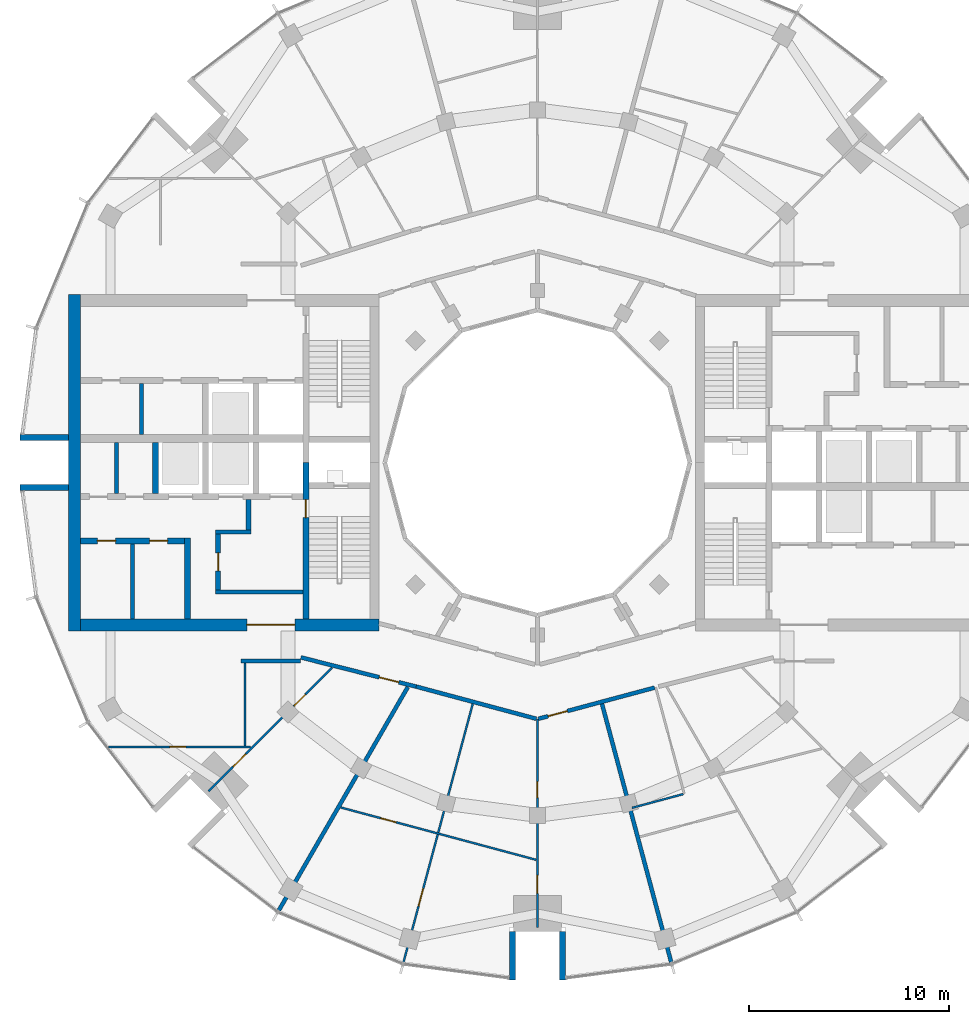
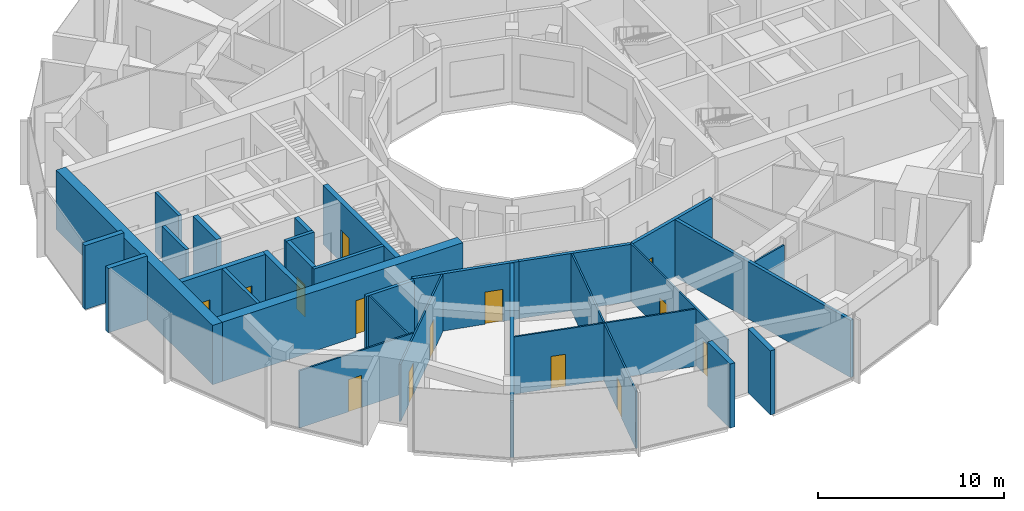
# One storey, part 8 of 15: 30 walls, 14 doors, 14 openings.
"""IFC4 building model written with IfcOpenShell, lengths in metres."""

from ifc_helpers import new_model, si_unit, direction, frame, frame_2d, origin, place, context, subcontext, project, spatial, rectangle, extrude, material, layer, layer_set, type_object, element, fill, save


model = new_model("IFC4")

# Units and contexts
model_context = context("Model", 3, precision=1e-05, world=origin(), true_north=direction((0.0, 1.0)))
body_context = subcontext(model_context, "Body", "Model", "MODEL_VIEW")
ifc_project = project(units=[si_unit("LENGTHUNIT", "METRE"), si_unit("AREAUNIT", "SQUARE_METRE"), si_unit("VOLUMEUNIT", "CUBIC_METRE"), si_unit("PLANEANGLEUNIT", "RADIAN"), si_unit("MASSUNIT", "GRAM", prefix="KILO")], contexts=[model_context])

# Site, building, storey
site_placement = place(None, origin())
site = spatial("IfcSite", under=ifc_project, at=site_placement, CompositionType="ELEMENT")
building_placement = place(site_placement, origin())
building = spatial("IfcBuilding", under=site, at=building_placement, Name="Torre Brocal", CompositionType="ELEMENT")
storey_placement = place(building_placement, frame((0.0, 0.0, 245.699951171875)))
storey = spatial("IfcBuildingStorey", under=building, at=storey_placement, Name="L56", CompositionType="ELEMENT", Elevation=245.699951171875)

# Walls
ifc_material_1 = material(Name="Masonry block", Category="masonry")
ifc_layer_1 = layer(ifc_material_1, 0.199951171875)
ifc_layer_set_1 = layer_set([ifc_layer_1], Name="Masonry block")
wall_type_1 = type_object("IfcWallType", Name="CORE PARTITION 200", PredefinedType="PARTITIONING", material=ifc_layer_set_1)
for number, where, z_axis, x_axis, name in (
    (1, (59.0, 76.0, 0.0), (0.0, 0.0, 1.0), (0.0, -1.0, 0.0), "Wall CP200"),
    (2, (60.25, 78.949951171875, 0.0), (0.0, 0.0, 1.0), (0.0, -1.0, 0.0), "Wall CP200"),
):
    element("IfcWall", number, at=place(storey_placement, frame(where, z_axis=z_axis, x_axis=x_axis)), inside=storey, type_object=wall_type_1, Name=name, PredefinedType="PARTITIONING", context=body_context, shape_type="SweptSolid", body=[
        extrude(rectangle(XDim=2.550048828125, YDim=0.199951171875, at=frame_2d((1.27490234375, 0.0))), origin(), (0.0, 0.0, 1.0), 3.880126953125),
    ])
wall_1_placement = place(storey_placement, frame((59.800048828125, 70.949951171875, 0.0), z_axis=(0.0, 0.0, 1.0), x_axis=(0.0, -1.0, 0.0)))
element("IfcWall", 3, at=wall_1_placement, inside=storey, type_object=wall_type_1, Name="Wall CP200", PredefinedType="PARTITIONING", context=body_context, shape_type="SweptSolid", body=[
    extrude(rectangle(XDim=3.75, YDim=0.199951171875, at=frame_2d((1.875, 0.0))), origin(), (0.0, 0.0, 1.0), 3.880126953125),
])
ifc_material_2 = material(Name="Concrete C60", Category="concrete")
ifc_layer_2 = layer(ifc_material_2, 0.199951171875)
ifc_layer_set_2 = layer_set([ifc_layer_2], Name="Concrete C60")
wall_type_2 = type_object("IfcWallType", Name="CORE WALL 200 C60", PredefinedType="SHEAR", material=ifc_layer_set_2)
wall_2_placement = place(storey_placement, frame((68.300048828125, 68.550048828125, 0.0), z_axis=(0.0, 0.0, 1.0), x_axis=(-1.0, 0.0, 0.0)))
element("IfcWall", 4, at=wall_2_placement, inside=storey, type_object=wall_type_2, Name="Wall CW200-60", PredefinedType="SHEAR", context=body_context, shape_type="SweptSolid", body=[
    extrude(rectangle(XDim=4.35009765625, YDim=0.199951171875, at=frame_2d((2.175048828125, 0.0))), origin(), (0.0, 0.0, 1.0), 3.880126953125),
])
wall_3_placement = place(storey_placement, frame((65.699951171875, 71.550048828125, 0.0), z_axis=(0.0, 0.0, 1.0), x_axis=(-1.0, 0.0, 0.0)))
element("IfcWall", 5, at=wall_3_placement, inside=storey, type_object=wall_type_2, Name="Wall CW200-60", PredefinedType="SHEAR", context=body_context, shape_type="SweptSolid", body=[
    extrude(rectangle(XDim=1.75, YDim=0.199951171875, at=frame_2d((0.875, 0.0))), origin(), (0.0, 0.0, 1.0), 3.880126953125),
])

# Wall, opening, door
ifc_material_3 = material(Name="Concrete C60", Category="concrete")
ifc_layer_3 = layer(ifc_material_3, 0.25)
ifc_layer_set_3 = layer_set([ifc_layer_3], Name="Concrete C60")
wall_type_3 = type_object("IfcWallType", Name="CORE WALL 250 C60", PredefinedType="SHEAR", material=ifc_layer_set_3)
wall_4_placement = place(storey_placement, frame((64.074951171875, 71.449951171875, 0.0), z_axis=(0.0, 0.0, 1.0), x_axis=(0.0, -1.0, 0.0)))
wall_4 = element("IfcWall", 6, at=wall_4_placement, inside=storey, type_object=wall_type_3, Name="Wall CW250-60", PredefinedType="SHEAR", context=body_context, shape_type="SweptSolid", body=[
    extrude(rectangle(XDim=2.800048828125, YDim=0.25, at=frame_2d((1.39990234375, 0.0))), origin(), (0.0, 0.0, 1.0), 3.880126953125),
])
opening_1_placement = place(wall_4_placement, frame((0.949951171875, 0.0, 0.0)))
opening_1 = element("IfcOpeningElement", 7, at=opening_1_placement, cuts=wall_4, Name="Opening W-D08", PredefinedType="OPENING", context=body_context, shape_type="SweptSolid", body=[
    extrude(rectangle(XDim=0.89990234375, YDim=2.10009765625, at=frame_2d((0.449951171875, 1.050048828125))), frame((0.0, 0.135009765625, 0.0), z_axis=(0.0, -1.0, 0.0), x_axis=(1.0, 0.0, 0.0)), (0.0, 0.0, 1.0), 0.27001953125),
])
ifc_material_4 = material(Name="Steel A653", Category="steel")
door_type_1 = type_object("IfcDoorType", Name="LOBBY DOOR FD120 900X2100", OperationType="SINGLE_SWING_RIGHT", PredefinedType="DOOR", material=ifc_material_4)
door_1_placement = place(opening_1_placement, origin())
door_1 = element("IfcDoor", 8, at=door_1_placement, inside=storey, type_object=door_type_1, Name="Door W-D08", OperationType="SINGLE_SWING_LEFT", OverallHeight=2.10009765625, OverallWidth=0.89990234375, PredefinedType="DOOR", context=body_context, shape_type="SweptSolid", body=[
    extrude(rectangle(XDim=0.89990234375, YDim=2.10009765625, at=frame_2d((0.449951171875, 1.050048828125))), frame((0.0, 0.02490234375, 0.0), z_axis=(0.0, -1.0, 0.0), x_axis=(1.0, 0.0, 0.0)), (0.0, 0.0, 1.0), 0.050048828125),
])
fill(opening_1, door_1)

# Wall
wall_5_placement = place(storey_placement, frame((65.574951171875, 73.14990234375, 0.0), z_axis=(0.0, 0.0, 1.0), x_axis=(0.0, -1.0, 0.0)))
element("IfcWall", 9, at=wall_5_placement, inside=storey, type_object=wall_type_3, Name="Wall CW250-60", PredefinedType="SHEAR", context=body_context, shape_type="SweptSolid", body=[
    extrude(rectangle(XDim=1.5, YDim=0.25, at=frame_2d((0.75, 0.0))), origin(), (0.0, 0.0, 1.0), 3.880126953125),
])

# Wall, opening, door
ifc_material_5 = material(Name="Concrete C60", Category="concrete")
ifc_layer_4 = layer(ifc_material_5, 0.300048828125)
ifc_layer_set_4 = layer_set([ifc_layer_4], Name="Concrete C60")
wall_type_4 = type_object("IfcWallType", Name="CORE WALL 300 C60", PredefinedType="SHEAR", material=ifc_layer_set_4)
wall_6_placement = place(storey_placement, frame((68.449951171875, 75.0, 0.0), z_axis=(0.0, 0.0, 1.0), x_axis=(0.0, -1.0, 0.0)))
wall_6 = element("IfcWall", 10, at=wall_6_placement, inside=storey, type_object=wall_type_4, Name="Wall CW300-60", PredefinedType="SHEAR", context=body_context, shape_type="SweptSolid", body=[
    extrude(rectangle(XDim=7.800048828125, YDim=0.300048828125, at=frame_2d((3.89990234375, 0.0))), origin(), (0.0, 0.0, 1.0), 3.880126953125),
])
opening_2_placement = place(wall_6_placement, frame((1.85009765625, 0.0, 0.0)))
opening_2 = element("IfcOpeningElement", 11, at=opening_2_placement, cuts=wall_6, Name="Opening W-D02", PredefinedType="OPENING", context=body_context, shape_type="SweptSolid", body=[
    extrude(rectangle(XDim=0.89990234375, YDim=2.10009765625, at=frame_2d((0.449951171875, 1.050048828125))), frame((0.0, 0.159912109375, 0.0), z_axis=(0.0, -1.0, 0.0), x_axis=(1.0, 0.0, 0.0)), (0.0, 0.0, 1.0), 0.320068359375),
])
ifc_material_6 = material(Name="Steel A653", Category="steel")
door_type_2 = type_object("IfcDoorType", Name="STAIR DOOR FD120 900X2100", OperationType="SINGLE_SWING_RIGHT", PredefinedType="DOOR", material=ifc_material_6)
door_2_placement = place(opening_2_placement, origin())
door_2 = element("IfcDoor", 12, at=door_2_placement, inside=storey, type_object=door_type_2, Name="Door W-D02", OperationType="SINGLE_SWING_LEFT", OverallHeight=2.10009765625, OverallWidth=0.89990234375, PredefinedType="DOOR", context=body_context, shape_type="SweptSolid", body=[
    extrude(rectangle(XDim=0.89990234375, YDim=2.10009765625, at=frame_2d((0.449951171875, 1.050048828125))), frame((0.0, 0.02490234375, 0.0), z_axis=(0.0, -1.0, 0.0), x_axis=(1.0, 0.0, 0.0)), (0.0, 0.0, 1.0), 0.050048828125),
])
fill(opening_2, door_2)

# Walls
wall_7_placement = place(storey_placement, frame((60.949951171875, 76.0, 0.0), z_axis=(0.0, 0.0, 1.0), x_axis=(0.0, -1.0, 0.0)))
element("IfcWall", 13, at=wall_7_placement, inside=storey, type_object=wall_type_4, Name="Wall CW300-60", PredefinedType="SHEAR", context=body_context, shape_type="SweptSolid", body=[
    extrude(rectangle(XDim=2.550048828125, YDim=0.300048828125, at=frame_2d((1.27490234375, 0.0))), origin(), (0.0, 0.0, 1.0), 3.880126953125),
])
wall_8_placement = place(storey_placement, frame((62.550048828125, 71.25, 0.0), z_axis=(0.0, 0.0, 1.0), x_axis=(0.0, -1.0, 0.0)))
element("IfcWall", 14, at=wall_8_placement, inside=storey, type_object=wall_type_4, Name="Wall CW300-60", PredefinedType="SHEAR", context=body_context, shape_type="SweptSolid", body=[
    extrude(rectangle(XDim=4.050048828125, YDim=0.300048828125, at=frame_2d((2.02490234375, 0.0))), origin(), (0.0, 0.0, 1.0), 3.880126953125),
])

# Wall, openings, doors
wall_9_placement = place(storey_placement, frame((62.39990234375, 71.10009765625, 0.0), z_axis=(0.0, 0.0, 1.0), x_axis=(-1.0, 0.0, 0.0)))
wall_9 = element("IfcWall", 15, at=wall_9_placement, inside=storey, type_object=wall_type_4, Name="Wall CW300-60", PredefinedType="SHEAR", context=body_context, shape_type="SweptSolid", body=[
    extrude(rectangle(XDim=5.199951171875, YDim=0.300048828125, at=frame_2d((2.60009765625, 0.0))), origin(), (0.0, 0.0, 1.0), 3.880126953125),
])
opening_3_placement = place(wall_9_placement, frame((0.85009765625, 0.0, 0.0)))
opening_3 = element("IfcOpeningElement", 16, at=opening_3_placement, cuts=wall_9, Name="Opening W-D09", PredefinedType="OPENING", context=body_context, shape_type="SweptSolid", body=[
    extrude(rectangle(XDim=0.89990234375, YDim=2.10009765625, at=frame_2d((0.449951171875, 1.050048828125))), frame((0.0, 0.159912109375, 0.0), z_axis=(0.0, -1.0, 0.0), x_axis=(1.0, 0.0, 0.0)), (0.0, 0.0, 1.0), 0.320068359375),
])
opening_4_placement = place(wall_9_placement, frame((3.449951171875, 0.0, 0.0)))
opening_4 = element("IfcOpeningElement", 17, at=opening_4_placement, cuts=wall_9, Name="Opening W-D10", PredefinedType="OPENING", context=body_context, shape_type="SweptSolid", body=[
    extrude(rectangle(XDim=0.89990234375, YDim=2.10009765625, at=frame_2d((0.449951171875, 1.050048828125))), frame((0.0, 0.159912109375, 0.0), z_axis=(0.0, -1.0, 0.0), x_axis=(1.0, 0.0, 0.0)), (0.0, 0.0, 1.0), 0.320068359375),
])
ifc_material_7 = material(Name="Steel A653", Category="steel")
door_type_3 = type_object("IfcDoorType", Name="ROOM DOOR FD30S 900X2100", OperationType="SINGLE_SWING_LEFT", PredefinedType="DOOR", material=ifc_material_7)
door_3_placement = place(opening_3_placement, origin())
door_3 = element("IfcDoor", 18, at=door_3_placement, inside=storey, type_object=door_type_3, Name="Door W-D09", OperationType="SINGLE_SWING_RIGHT", OverallHeight=2.10009765625, OverallWidth=0.89990234375, PredefinedType="DOOR", context=body_context, shape_type="SweptSolid", body=[
    extrude(rectangle(XDim=0.89990234375, YDim=2.10009765625, at=frame_2d((0.449951171875, 1.050048828125))), frame((0.0, 0.02490234375, 0.0), z_axis=(0.0, -1.0, 0.0), x_axis=(1.0, 0.0, 0.0)), (0.0, 0.0, 1.0), 0.050048828125),
])
fill(opening_3, door_3)
door_4_placement = place(opening_4_placement, origin())
door_4 = element("IfcDoor", 19, at=door_4_placement, inside=storey, type_object=door_type_3, Name="Door W-D10", OperationType="SINGLE_SWING_LEFT", OverallHeight=2.10009765625, OverallWidth=0.89990234375, PredefinedType="DOOR", context=body_context, shape_type="SweptSolid", body=[
    extrude(rectangle(XDim=0.89990234375, YDim=2.10009765625, at=frame_2d((0.449951171875, 1.050048828125))), frame((0.0, 0.02490234375, 0.0), z_axis=(0.0, -1.0, 0.0), x_axis=(1.0, 0.0, 0.0)), (0.0, 0.0, 1.0), 0.050048828125),
])
fill(opening_4, door_4)

# Wall, opening, door
ifc_material_8 = material(Name="Concrete C60", Category="concrete")
ifc_layer_5 = layer(ifc_material_8, 0.60009765625)
ifc_layer_set_5 = layer_set([ifc_layer_5], Name="Concrete C60")
wall_type_5 = type_object("IfcWallType", Name="CORE WALL 600 C60", PredefinedType="SHEAR", material=ifc_layer_set_5)
wall_10_placement = place(storey_placement, frame((72.10009765625, 66.89990234375, 0.0), z_axis=(0.0, 0.0, 1.0), x_axis=(-1.0, 0.0, 0.0)))
wall_10 = element("IfcWall", 20, at=wall_10_placement, inside=storey, type_object=wall_type_5, Name="Wall CW600-60", PredefinedType="SHEAR", context=body_context, shape_type="SweptSolid", body=[
    extrude(rectangle(XDim=14.900146484375, YDim=0.60009765625, at=frame_2d((7.4501953125, 0.0))), origin(), (0.0, 0.0, 1.0), 3.880126953125),
])
opening_5_placement = place(wall_10_placement, frame((4.199951171875, 0.0, 0.0)))
opening_5 = element("IfcOpeningElement", 21, at=opening_5_placement, cuts=wall_10, Name="Opening W-D34", PredefinedType="OPENING", context=body_context, shape_type="SweptSolid", body=[
    extrude(rectangle(XDim=2.39990234375, YDim=2.39990234375, at=frame_2d((1.199951171875, 1.199951171875))), frame((0.0, 0.31005859375, 0.0), z_axis=(0.0, -1.0, 0.0), x_axis=(1.0, 0.0, 0.0)), (0.0, 0.0, 1.0), 0.6201171875),
])
ifc_material_9 = material(Name="Steel A653", Category="steel")
door_type_4 = type_object("IfcDoorType", Name="DOUBLE FIRE DOOR FD90 2400X2400", OperationType="DOUBLE_DOOR_SINGLE_SWING", PredefinedType="DOOR", material=ifc_material_9)
door_5_placement = place(opening_5_placement, frame((2.39990234375, 0.0, 0.0), z_axis=(0.0, 0.0, 1.0), x_axis=(-1.0, 0.0, 0.0)))
door_5 = element("IfcDoor", 22, at=door_5_placement, inside=storey, type_object=door_type_4, Name="Door W-D34", OperationType="DOUBLE_DOOR_SINGLE_SWING", OverallHeight=2.39990234375, OverallWidth=2.39990234375, PredefinedType="DOOR", context=body_context, shape_type="SweptSolid", body=[
    extrude(rectangle(XDim=2.39990234375, YDim=2.39990234375, at=frame_2d((1.199951171875, 1.199951171875))), frame((0.0, 0.02490234375, 0.0), z_axis=(0.0, -1.0, 0.0), x_axis=(1.0, 0.0, 0.0)), (0.0, 0.0, 1.0), 0.050048828125),
])
fill(opening_5, door_5)

# Walls
wall_11_placement = place(storey_placement, frame((56.89990234375, 83.39990234375, 0.0), z_axis=(0.0, 0.0, 1.0), x_axis=(0.0, -1.0, 0.0)))
element("IfcWall", 23, at=wall_11_placement, inside=storey, type_object=wall_type_5, Name="Wall CW600-60", PredefinedType="SHEAR", context=body_context, shape_type="SweptSolid", body=[
    extrude(rectangle(XDim=16.7998046875, YDim=0.60009765625, at=frame_2d((8.39990234375, 0.0))), origin(), (0.0, 0.0, 1.0), 3.880126953125),
])
ifc_material_10 = material(Name="Concrete C60", Category="concrete")
ifc_layer_6 = layer(ifc_material_10, 0.300048828125)
ifc_layer_set_6 = layer_set([ifc_layer_6], Name="Concrete C60")
wall_type_6 = type_object("IfcWallType", Name="NOTCH RETURN WALL 300 C60", PredefinedType="NOTDEFINED", material=ifc_layer_set_6)
for number, where, z_axis, x_axis, name in (
    (24, (56.60009765625, 76.25, 0.0), (0.0, 0.0, 1.0), (-1.0, 0.0, 0.0), "NOTCH RETURN WALL"),
    (25, (56.60009765625, 73.75, 0.0), (0.0, 0.0, 1.0), (-1.0, 0.0, 0.0), "NOTCH RETURN WALL"),
    (26, (78.75, 51.60009765625, 0.0), (0.0, 0.0, 1.0), (0.0, -1.0, 0.0), "NOTCH RETURN WALL"),
    (27, (81.25, 51.60009765625, 0.0), (0.0, 0.0, 1.0), (0.0, -1.0, 0.0), "NOTCH RETURN WALL"),
):
    element("IfcWall", number, at=place(storey_placement, frame(where, z_axis=z_axis, x_axis=x_axis)), inside=storey, type_object=wall_type_6, Name=name, PredefinedType="NOTDEFINED", context=body_context, shape_type="SweptSolid", body=[
        extrude(rectangle(XDim=2.415771484375, YDim=0.300048828125, at=frame_2d((1.2080078125, 0.0))), origin(), (0.0, 0.0, 1.0), 4.199951171875),
    ])

# Wall, opening, door
ifc_material_11 = material(Name="Gypsum board", Category="Gypsum")
ifc_layer_7 = layer(ifc_material_11, 0.10009765625)
ifc_layer_set_7 = layer_set([ifc_layer_7], Name="Gypsum board")
wall_type_7 = type_object("IfcWallType", Name="PARTITION 100", PredefinedType="PARTITIONING", material=ifc_layer_set_7)
wall_12_placement = place(storey_placement, frame((58.60009765625, 60.81201171875, 0.0), z_axis=(0.0, 0.0, 1.0), x_axis=(1.0, 0.0, 0.0)))
wall_12 = element("IfcWall", 28, at=wall_12_placement, inside=storey, type_object=wall_type_7, Name="BATHROOM WALL", PredefinedType="PARTITIONING", context=body_context, shape_type="SweptSolid", body=[
    extrude(rectangle(XDim=7.091796875, YDim=0.10009765625, at=frame_2d((3.5458984375, 0.0))), origin(), (0.0, 0.0, 1.0), 3.75),
])
opening_6_placement = place(wall_12_placement, frame((3.06494140625, 0.0, 0.0)))
opening_6 = element("IfcOpeningElement", 29, at=opening_6_placement, cuts=wall_12, Name="Opening B03-D34", PredefinedType="OPENING", context=body_context, shape_type="SweptSolid", body=[
    extrude(rectangle(XDim=0.800048828125, YDim=2.10009765625, at=frame_2d((0.39990234375, 1.050048828125))), frame((0.0, 0.06005859375, 0.0), z_axis=(0.0, -1.0, 0.0), x_axis=(1.0, 0.0, 0.0)), (0.0, 0.0, 1.0), 0.1201171875),
])
ifc_material_12 = material(Name="Timber", Category="wood")
door_type_5 = type_object("IfcDoorType", Name="BATHROOM DOOR 800X2100", OperationType="SINGLE_SWING_LEFT", PredefinedType="DOOR", material=ifc_material_12)
door_6_placement = place(opening_6_placement, origin())
door_6 = element("IfcDoor", 30, at=door_6_placement, inside=storey, type_object=door_type_5, Name="B03-D34", OperationType="SINGLE_SWING_RIGHT", OverallHeight=2.10009765625, OverallWidth=0.800048828125, PredefinedType="DOOR", context=body_context, shape_type="SweptSolid", body=[
    extrude(rectangle(XDim=0.800048828125, YDim=2.10009765625, at=frame_2d((0.39990234375, 1.050048828125))), frame((0.0, 0.02490234375, 0.0), z_axis=(0.0, -1.0, 0.0), x_axis=(1.0, 0.0, 0.0)), (0.0, 0.0, 1.0), 0.050048828125),
])
fill(opening_6, door_6)

# Wall, openings, doors
wall_13_placement = place(storey_placement, frame((63.59130859375, 58.60009765625, 0.0), z_axis=(0.0, 0.0, 1.0), x_axis=(0.707274766636, 0.70693875582, 0.0)))
wall_13 = element("IfcWall", 31, at=wall_13_placement, inside=storey, type_object=wall_type_7, Name="BATHROOM WALL", PredefinedType="PARTITIONING", context=body_context, shape_type="SweptSolid", body=[
    extrude(rectangle(XDim=8.718994140625, YDim=0.10009765625, at=frame_2d((4.359375, 0.0))), origin(), (0.0, 0.0, 1.0), 3.75),
])
opening_7_placement = place(wall_13_placement, frame((1.728515625, 0.0, 0.0)))
opening_7 = element("IfcOpeningElement", 32, at=opening_7_placement, cuts=wall_13, Name="Opening B03-D33", PredefinedType="OPENING", context=body_context, shape_type="SweptSolid", body=[
    extrude(rectangle(XDim=0.89990234375, YDim=2.10009765625, at=frame_2d((0.449951171875, 1.050048828125))), frame((0.0, 0.06005859375, 0.0), z_axis=(0.0, -1.0, 0.0), x_axis=(1.0, 0.0, 0.0)), (0.0, 0.0, 1.0), 0.1201171875),
])
opening_8_placement = place(wall_13_placement, frame((6.03271484375, 0.0, 0.0)))
opening_8 = element("IfcOpeningElement", 33, at=opening_8_placement, cuts=wall_13, Name="Opening B03-D35", PredefinedType="OPENING", context=body_context, shape_type="SweptSolid", body=[
    extrude(rectangle(XDim=0.800048828125, YDim=2.10009765625, at=frame_2d((0.39990234375, 1.050048828125))), frame((0.0, 0.06005859375, 0.0), z_axis=(0.0, -1.0, 0.0), x_axis=(1.0, 0.0, 0.0)), (0.0, 0.0, 1.0), 0.1201171875),
])
door_7_placement = place(opening_8_placement, origin())
door_7 = element("IfcDoor", 34, at=door_7_placement, inside=storey, type_object=door_type_5, Name="B03-D35", OperationType="SINGLE_SWING_RIGHT", OverallHeight=2.10009765625, OverallWidth=0.800048828125, PredefinedType="DOOR", context=body_context, shape_type="SweptSolid", body=[
    extrude(rectangle(XDim=0.800048828125, YDim=2.10009765625, at=frame_2d((0.39990234375, 1.050048828125))), frame((0.0, 0.02490234375, 0.0), z_axis=(0.0, -1.0, 0.0), x_axis=(1.0, 0.0, 0.0)), (0.0, 0.0, 1.0), 0.050048828125),
])
fill(opening_8, door_7)
ifc_material_13 = material(Name="Timber", Category="wood")
door_type_6 = type_object("IfcDoorType", Name="ROOM DOOR 900X2100", OperationType="SINGLE_SWING_LEFT", PredefinedType="DOOR", material=ifc_material_13)
door_8_placement = place(opening_7_placement, origin())
door_8 = element("IfcDoor", 35, at=door_8_placement, inside=storey, type_object=door_type_6, Name="B03-D33", OperationType="SINGLE_SWING_LEFT", OverallHeight=2.10009765625, OverallWidth=0.89990234375, PredefinedType="DOOR", context=body_context, shape_type="SweptSolid", body=[
    extrude(rectangle(XDim=0.89990234375, YDim=2.10009765625, at=frame_2d((0.449951171875, 1.050048828125))), frame((0.0, 0.02490234375, 0.0), z_axis=(0.0, -1.0, 0.0), x_axis=(1.0, 0.0, 0.0)), (0.0, 0.0, 1.0), 0.050048828125),
])
fill(opening_7, door_8)

# Wall
wall_14_placement = place(storey_placement, frame((65.39990234375, 60.862060546875, 0.0), z_axis=(0.0, 0.0, 1.0), x_axis=(0.0, 1.0, 0.0)))
element("IfcWall", 36, at=wall_14_placement, inside=storey, type_object=wall_type_7, Name="BATHROOM WALL", PredefinedType="PARTITIONING", context=body_context, shape_type="SweptSolid", body=[
    extrude(rectangle(XDim=4.137939453125, YDim=0.10009765625, at=frame_2d((2.06884765625, 0.0))), origin(), (0.0, 0.0, 1.0), 3.75),
])

# Wall, opening, door
wall_15_placement = place(storey_placement, frame((70.1884765625, 57.79345703125, 0.0), z_axis=(0.0, 0.0, 1.0), x_axis=(0.965911138035, -0.258873856194, 0.0)))
wall_15 = element("IfcWall", 37, at=wall_15_placement, inside=storey, type_object=wall_type_7, Name="BATHROOM WALL", PredefinedType="PARTITIONING", context=body_context, shape_type="SweptSolid", body=[
    extrude(rectangle(XDim=10.09765625, YDim=0.10009765625, at=frame_2d((5.048828125, 0.0))), origin(), (0.0, 0.0, 1.0), 3.75),
])
opening_9_placement = place(wall_15_placement, frame((2.056884765625, 0.0, 0.0)))
opening_9 = element("IfcOpeningElement", 38, at=opening_9_placement, cuts=wall_15, Name="Opening B03-D31", PredefinedType="OPENING", context=body_context, shape_type="SweptSolid", body=[
    extrude(rectangle(XDim=0.800048828125, YDim=2.10009765625, at=frame_2d((0.39990234375, 1.050048828125))), frame((0.0, 0.06005859375, 0.0), z_axis=(0.0, -1.0, 0.0), x_axis=(1.0, 0.0, 0.0)), (0.0, 0.0, 1.0), 0.1201171875),
])
door_9_placement = place(opening_9_placement, origin())
door_9 = element("IfcDoor", 39, at=door_9_placement, inside=storey, type_object=door_type_5, Name="B03-D31", OperationType="SINGLE_SWING_LEFT", OverallHeight=2.10009765625, OverallWidth=0.800048828125, PredefinedType="DOOR", context=body_context, shape_type="SweptSolid", body=[
    extrude(rectangle(XDim=0.800048828125, YDim=2.10009765625, at=frame_2d((0.39990234375, 1.050048828125))), frame((0.0, 0.02490234375, 0.0), z_axis=(0.0, -1.0, 0.0), x_axis=(1.0, 0.0, 0.0)), (0.0, 0.0, 1.0), 0.050048828125),
])
fill(opening_9, door_9)

wall_16_placement = place(storey_placement, frame((73.322998046875, 50.080810546875, 0.0), z_axis=(0.0, 0.0, 1.0), x_axis=(0.258837030899, 0.96592100683, 0.0)))
wall_16 = element("IfcWall", 40, at=wall_16_placement, inside=storey, type_object=wall_type_7, Name="BATHROOM WALL", PredefinedType="PARTITIONING", context=body_context, shape_type="SweptSolid", body=[
    extrude(rectangle(XDim=13.338134765625, YDim=0.10009765625, at=frame_2d((6.6689453125, 0.0))), origin(), (0.0, 0.0, 1.0), 3.75),
])
opening_10_placement = place(wall_16_placement, frame((2.894287109375, 0.0, 0.0)))
opening_10 = element("IfcOpeningElement", 41, at=opening_10_placement, cuts=wall_16, Name="Opening B03-D30", PredefinedType="OPENING", context=body_context, shape_type="SweptSolid", body=[
    extrude(rectangle(XDim=0.89990234375, YDim=2.10009765625, at=frame_2d((0.449951171875, 1.050048828125))), frame((0.0, 0.06005859375, 0.0), z_axis=(0.0, -1.0, 0.0), x_axis=(1.0, 0.0, 0.0)), (0.0, 0.0, 1.0), 0.1201171875),
])
door_10_placement = place(opening_10_placement, frame((0.89990234375, 0.0, 0.0), z_axis=(0.0, 0.0, 1.0), x_axis=(-1.0, 0.0, 0.0)))
door_10 = element("IfcDoor", 42, at=door_10_placement, inside=storey, type_object=door_type_6, Name="B03-D30", OperationType="SINGLE_SWING_RIGHT", OverallHeight=2.10009765625, OverallWidth=0.89990234375, PredefinedType="DOOR", context=body_context, shape_type="SweptSolid", body=[
    extrude(rectangle(XDim=0.89990234375, YDim=2.10009765625, at=frame_2d((0.449951171875, 1.050048828125))), frame((0.0, 0.02490234375, 0.0), z_axis=(0.0, -1.0, 0.0), x_axis=(1.0, 0.0, 0.0)), (0.0, 0.0, 1.0), 0.050048828125),
])
fill(opening_10, door_10)

# Wall, openings, doors
wall_17_placement = place(storey_placement, frame((80.0, 51.800048828125, 0.0), z_axis=(0.0, 0.0, 1.0), x_axis=(0.0, 1.0, 0.0)))
wall_17 = element("IfcWall", 43, at=wall_17_placement, inside=storey, type_object=wall_type_7, Name="BATHROOM WALL", PredefinedType="PARTITIONING", context=body_context, shape_type="SweptSolid", body=[
    extrude(rectangle(XDim=10.404052734375, YDim=0.10009765625, at=frame_2d((5.2021484375, 0.0))), origin(), (0.0, 0.0, 1.0), 3.75),
])
opening_11_placement = place(wall_17_placement, frame((1.70703125, 0.0, 0.0)))
opening_11 = element("IfcOpeningElement", 44, at=opening_11_placement, cuts=wall_17, Name="Opening B03-D28", PredefinedType="OPENING", context=body_context, shape_type="SweptSolid", body=[
    extrude(rectangle(XDim=0.89990234375, YDim=2.10009765625, at=frame_2d((0.449951171875, 1.050048828125))), frame((0.0, 0.06005859375, 0.0), z_axis=(0.0, -1.0, 0.0), x_axis=(1.0, 0.0, 0.0)), (0.0, 0.0, 1.0), 0.1201171875),
])
opening_12_placement = place(wall_17_placement, frame((6.48388671875, 0.0, 0.0)))
opening_12 = element("IfcOpeningElement", 45, at=opening_12_placement, cuts=wall_17, Name="Opening B03-D29", PredefinedType="OPENING", context=body_context, shape_type="SweptSolid", body=[
    extrude(rectangle(XDim=0.800048828125, YDim=2.10009765625, at=frame_2d((0.39990234375, 1.050048828125))), frame((0.0, 0.06005859375, 0.0), z_axis=(0.0, -1.0, 0.0), x_axis=(1.0, 0.0, 0.0)), (0.0, 0.0, 1.0), 0.1201171875),
])
door_11_placement = place(opening_12_placement, origin())
door_11 = element("IfcDoor", 46, at=door_11_placement, inside=storey, type_object=door_type_5, Name="B03-D29", OperationType="SINGLE_SWING_LEFT", OverallHeight=2.10009765625, OverallWidth=0.800048828125, PredefinedType="DOOR", context=body_context, shape_type="SweptSolid", body=[
    extrude(rectangle(XDim=0.800048828125, YDim=2.10009765625, at=frame_2d((0.39990234375, 1.050048828125))), frame((0.0, 0.02490234375, 0.0), z_axis=(0.0, -1.0, 0.0), x_axis=(1.0, 0.0, 0.0)), (0.0, 0.0, 1.0), 0.050048828125),
])
fill(opening_12, door_11)
door_12_placement = place(opening_11_placement, origin())
door_12 = element("IfcDoor", 47, at=door_12_placement, inside=storey, type_object=door_type_6, Name="B03-D28", OperationType="SINGLE_SWING_RIGHT", OverallHeight=2.10009765625, OverallWidth=0.89990234375, PredefinedType="DOOR", context=body_context, shape_type="SweptSolid", body=[
    extrude(rectangle(XDim=0.89990234375, YDim=2.10009765625, at=frame_2d((0.449951171875, 1.050048828125))), frame((0.0, 0.02490234375, 0.0), z_axis=(0.0, -1.0, 0.0), x_axis=(1.0, 0.0, 0.0)), (0.0, 0.0, 1.0), 0.050048828125),
])
fill(opening_11, door_12)

# Walls
ifc_material_14 = material(Name="Gypsum board", Category="Gypsum")
ifc_layer_8 = layer(ifc_material_14, 0.10009765625)
ifc_layer_set_8 = layer_set([ifc_layer_8], Name="Gypsum board")
wall_type_8 = type_object("IfcWallType", Name="PARTITION 100 UNDER BEAM 820", PredefinedType="PARTITIONING", material=ifc_layer_set_8)
wall_18_placement = place(storey_placement, frame((84.719482421875, 57.77392578125, 0.0), z_axis=(0.0, 0.0, 1.0), x_axis=(0.965902408875, 0.258906424273, 0.0)))
element("IfcWall", 48, at=wall_18_placement, inside=storey, type_object=wall_type_8, Name="BATHROOM WALL", PredefinedType="PARTITIONING", context=body_context, shape_type="SweptSolid", body=[
    extrude(rectangle(XDim=2.650634765625, YDim=0.10009765625, at=frame_2d((1.3251953125, 0.0))), origin(), (0.0, 0.0, 1.0), 3.380126953125),
])
ifc_material_15 = material(Name="Gypsum board", Category="Gypsum")
ifc_layer_9 = layer(ifc_material_15, 0.199951171875)
ifc_layer_set_9 = layer_set([ifc_layer_9], Name="Gypsum board")
wall_type_9 = type_object("IfcWallType", Name="PARTITION 200 EI60", PredefinedType="PARTITIONING", material=ifc_layer_set_9)
wall_19_placement = place(storey_placement, frame((65.199951171875, 65.10009765625, 0.0), z_axis=(0.0, 0.0, 1.0), x_axis=(1.0, 0.0, 0.0)))
element("IfcWall", 49, at=wall_19_placement, inside=storey, type_object=wall_type_9, Name="CORRIDOR WALL", PredefinedType="PARTITIONING", context=body_context, shape_type="SweptSolid", body=[
    extrude(rectangle(XDim=2.97998046875, YDim=0.199951171875, at=frame_2d((1.489990234375, 0.0))), origin(), (0.0, 0.0, 1.0), 3.75),
])
wall_20_placement = place(storey_placement, frame((67.099853515625, 52.659423828125, 0.0), z_axis=(0.0, 0.0, 1.0), x_axis=(0.500128690501, 0.865951091539, 0.0)))
element("IfcWall", 50, at=wall_20_placement, inside=storey, type_object=wall_type_9, Name="BATHROOM WALL", PredefinedType="PARTITIONING", context=body_context, shape_type="SweptSolid", body=[
    extrude(rectangle(XDim=12.8662109375, YDim=0.199951171875, at=frame_2d((6.43310546875, 0.0))), origin(), (0.0, 0.0, 1.0), 3.75),
])

# Wall, opening, door
wall_21_placement = place(storey_placement, frame((68.199951171875, 65.280029296875, 0.0), z_axis=(0.0, 0.0, 1.0), x_axis=(0.969450596516, -0.245286650503, 0.0)))
wall_21 = element("IfcWall", 51, at=wall_21_placement, inside=storey, type_object=wall_type_9, Name="FLAT ENTRANCE WALL", PredefinedType="PARTITIONING", context=body_context, shape_type="SweptSolid", body=[
    extrude(rectangle(XDim=5.92822265625, YDim=0.199951171875, at=frame_2d((2.964111328125, 0.0))), origin(), (0.0, 0.0, 1.0), 3.75),
])
opening_13_placement = place(wall_21_placement, frame((4.038818359375, 0.0, 0.0)))
opening_13 = element("IfcOpeningElement", 52, at=opening_13_placement, cuts=wall_21, Name="Opening B03-D32", PredefinedType="OPENING", context=body_context, shape_type="SweptSolid", body=[
    extrude(rectangle(XDim=1.0, YDim=2.10009765625, at=frame_2d((0.5, 1.050048828125))), frame((0.0, 0.10986328125, 0.0), z_axis=(0.0, -1.0, 0.0), x_axis=(1.0, 0.0, 0.0)), (0.0, 0.0, 1.0), 0.219970703125),
])
ifc_material_16 = material(Name="Timber", Category="wood")
door_type_7 = type_object("IfcDoorType", Name="FLAT ENTRY DOOR FD30S 1000X2100", OperationType="SINGLE_SWING_RIGHT", PredefinedType="DOOR", material=ifc_material_16)
door_13_placement = place(opening_13_placement, frame((1.0, 0.0, 0.0), z_axis=(0.0, 0.0, 1.0), x_axis=(-1.0, 0.0, 0.0)))
door_13 = element("IfcDoor", 53, at=door_13_placement, inside=storey, type_object=door_type_7, Name="B03-D32", OperationType="SINGLE_SWING_LEFT", OverallHeight=2.10009765625, OverallWidth=1.0, PredefinedType="DOOR", context=body_context, shape_type="SweptSolid", body=[
    extrude(rectangle(XDim=1.0, YDim=2.10009765625, at=frame_2d((0.5, 1.050048828125))), frame((0.0, 0.02490234375, 0.0), z_axis=(0.0, -1.0, 0.0), x_axis=(1.0, 0.0, 0.0)), (0.0, 0.0, 1.0), 0.050048828125),
])
fill(opening_13, door_13)

# Wall
wall_22_placement = place(storey_placement, frame((73.947021484375, 63.825927734375, 0.0), z_axis=(0.0, 0.0, 1.0), x_axis=(0.965908253407, -0.258884619088, 0.0)))
element("IfcWall", 54, at=wall_22_placement, inside=storey, type_object=wall_type_9, Name="GUESTROOM CORRIDOR WALL", PredefinedType="PARTITIONING", context=body_context, shape_type="SweptSolid", body=[
    extrude(rectangle(XDim=6.216552734375, YDim=0.199951171875, at=frame_2d((3.1083984375, 0.0))), origin(), (0.0, 0.0, 1.0), 3.75),
])

# Wall, opening, door
wall_23_placement = place(storey_placement, frame((80.04833984375, 62.217041015625, 0.0), z_axis=(0.0, 0.0, 1.0), x_axis=(0.965941520544, 0.258760466242, 0.0)))
wall_23 = element("IfcWall", 55, at=wall_23_placement, inside=storey, type_object=wall_type_9, Name="FLAT ENTRANCE WALL", PredefinedType="PARTITIONING", context=body_context, shape_type="SweptSolid", body=[
    extrude(rectangle(XDim=6.00634765625, YDim=0.199951171875, at=frame_2d((3.003173828125, 0.0))), origin(), (0.0, 0.0, 1.0), 3.75),
])
opening_14_placement = place(wall_23_placement, frame((0.5, 0.0, 0.0)))
opening_14 = element("IfcOpeningElement", 56, at=opening_14_placement, cuts=wall_23, Name="Opening B03-D27", PredefinedType="OPENING", context=body_context, shape_type="SweptSolid", body=[
    extrude(rectangle(XDim=1.0, YDim=2.10009765625, at=frame_2d((0.5, 1.050048828125))), frame((0.0, 0.10986328125, 0.0), z_axis=(0.0, -1.0, 0.0), x_axis=(1.0, 0.0, 0.0)), (0.0, 0.0, 1.0), 0.219970703125),
])
door_14_placement = place(opening_14_placement, frame((1.0, 0.0, 0.0), z_axis=(0.0, 0.0, 1.0), x_axis=(-1.0, 0.0, 0.0)))
door_14 = element("IfcDoor", 57, at=door_14_placement, inside=storey, type_object=door_type_7, Name="B03-D27", OperationType="SINGLE_SWING_RIGHT", OverallHeight=2.10009765625, OverallWidth=1.0, PredefinedType="DOOR", context=body_context, shape_type="SweptSolid", body=[
    extrude(rectangle(XDim=1.0, YDim=2.10009765625, at=frame_2d((0.5, 1.050048828125))), frame((0.0, 0.02490234375, 0.0), z_axis=(0.0, -1.0, 0.0), x_axis=(1.0, 0.0, 0.0)), (0.0, 0.0, 1.0), 0.050048828125),
])
fill(opening_14, door_14)

# Wall
wall_24_placement = place(storey_placement, frame((83.22412109375, 62.964111328125, 0.0), z_axis=(0.0, 0.0, 1.0), x_axis=(0.258742489642, -0.965946336012, 0.0)))
element("IfcWall", 58, at=wall_24_placement, inside=storey, type_object=wall_type_9, Name="BATHROOM WALL", PredefinedType="PARTITIONING", context=body_context, shape_type="SweptSolid", body=[
    extrude(rectangle(XDim=13.338134765625, YDim=0.199951171875, at=frame_2d((6.6689453125, 0.0))), origin(), (0.0, 0.0, 1.0), 3.75),
])

save(model, "model.ifc")
